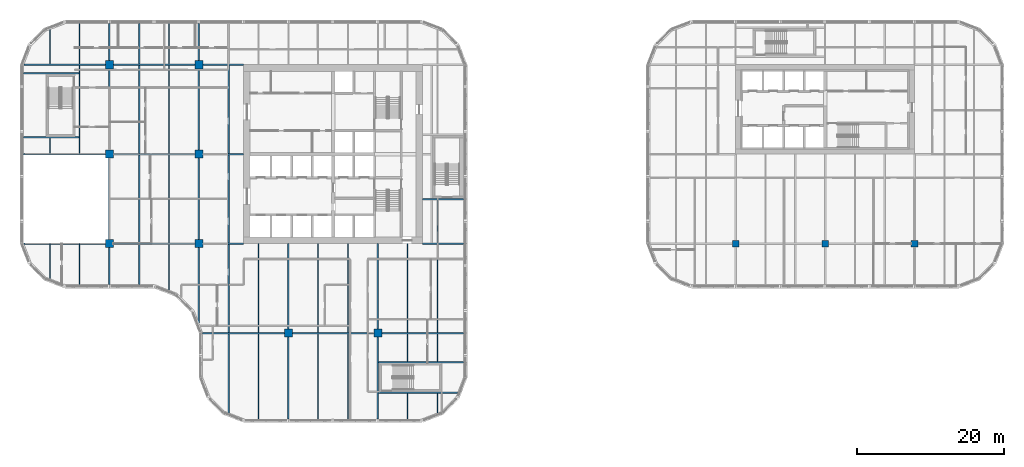
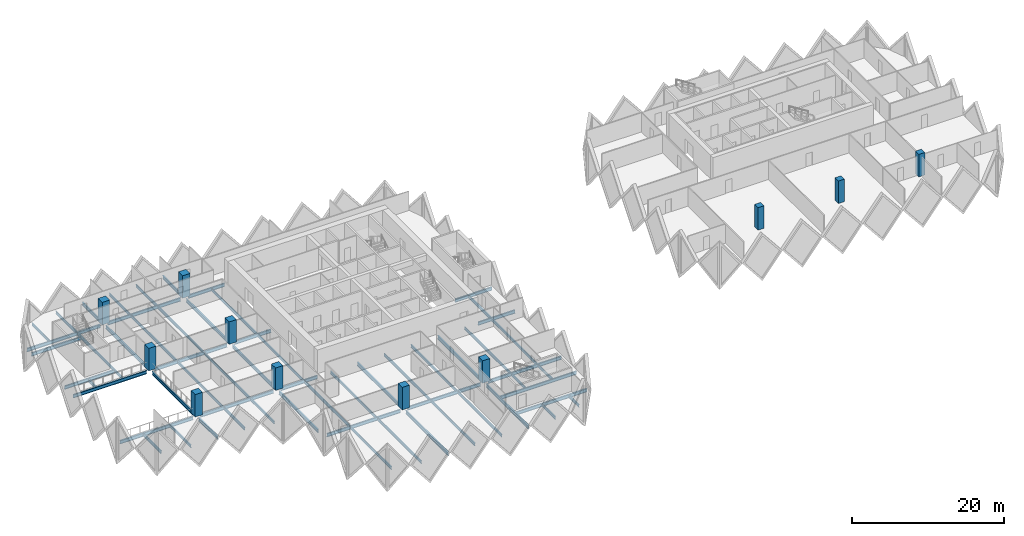
# One storey, part 1 of 18: 61 beams, 11 columns.
"""IFC4 building model written with IfcOpenShell, lengths in metres."""

from ifc_helpers import new_model, si_unit, direction, frame, origin, origin_2d, place, context, subcontext, project, spatial, rectangle, i_section, extrude, material, material_profile, profile_set, type_object, element, save


model = new_model("IFC4")

# Units and contexts
model_context = context("Model", 3, precision=1e-05, world=origin(), true_north=direction((0.0, 1.0)))
body_context = subcontext(model_context, "Body", "Model", "MODEL_VIEW")
ifc_project = project(units=[si_unit("LENGTHUNIT", "METRE"), si_unit("AREAUNIT", "SQUARE_METRE"), si_unit("VOLUMEUNIT", "CUBIC_METRE"), si_unit("PLANEANGLEUNIT", "RADIAN"), si_unit("MASSUNIT", "GRAM", prefix="KILO")], contexts=[model_context])

# Site, building, storey
site_placement = place(None, origin())
site = spatial("IfcSite", under=ifc_project, at=site_placement, CompositionType="ELEMENT")
building_placement = place(site_placement, origin())
building = spatial("IfcBuilding", under=site, at=building_placement, Name="Tessera Gate Towers", CompositionType="ELEMENT")
storey_placement = place(building_placement, frame((0.0, 0.0, 44.800048828125)))
storey = spatial("IfcBuildingStorey", under=building, at=storey_placement, Name="L10", CompositionType="ELEMENT", Elevation=44.800048828125)

# Columns
ifc_material_1 = material(Name="Concrete C70/85", Category="concrete")
ifc_material_profile_1 = material_profile(ifc_material_1, rectangle(XDim=1.10009765625, YDim=1.10009765625, at=origin_2d()), Name="RC 1100x1100")
ifc_profile_set_1 = profile_set([ifc_material_profile_1], Name="Concrete C70/85")
column_type_1 = type_object("IfcColumnType", Name="COLUMN RC 1100x1100", PredefinedType="COLUMN", material=ifc_profile_set_1)
for number, where, z_axis, x_axis, name in (
    (1, (12.199951171875, 24.39990234375, 0.0), (0.0, 0.0, 1.0), (1.0, 0.0, 0.0), "T1-COL-2C-L10"),
    (2, (12.199951171875, 36.60009765625, 0.0), (0.0, 0.0, 1.0), (1.0, 0.0, 0.0), "T1-COL-2D-L10"),
    (3, (12.199951171875, 48.800048828125, 0.0), (0.0, 0.0, 1.0), (1.0, 0.0, 0.0), "T1-COL-2E-L10"),
    (4, (24.39990234375, 24.39990234375, 0.0), (0.0, 0.0, 1.0), (1.0, 0.0, 0.0), "T1-COL-3C-L10"),
    (5, (24.39990234375, 36.60009765625, 0.0), (0.0, 0.0, 1.0), (1.0, 0.0, 0.0), "T1-COL-3D-L10"),
    (6, (24.39990234375, 48.800048828125, 0.0), (0.0, 0.0, 1.0), (1.0, 0.0, 0.0), "T1-COL-3E-L10"),
    (7, (36.60009765625, 12.199951171875, 0.0), (0.0, 0.0, 1.0), (1.0, 0.0, 0.0), "T1-COL-4B-L10"),
    (8, (48.800048828125, 12.199951171875, 0.0), (0.0, 0.0, 1.0), (1.0, 0.0, 0.0), "T1-COL-5B-L10"),
):
    element("IfcColumn", number, at=place(storey_placement, frame(where, z_axis=z_axis, x_axis=x_axis)), inside=storey, type_object=column_type_1, Name=name, PredefinedType="COLUMN", context=body_context, shape_type="SweptSolid", body=[
        extrude(rectangle(XDim=1.10009765625, YDim=1.10009765625, at=origin_2d()), origin(), (0.0, 0.0, 1.0), 3.599853515625),
    ])
ifc_material_2 = material(Name="Concrete C70/85", Category="concrete")
ifc_material_profile_2 = material_profile(ifc_material_2, rectangle(XDim=0.89990234375, YDim=0.89990234375, at=origin_2d()), Name="RC 900x900")
ifc_profile_set_2 = profile_set([ifc_material_profile_2], Name="Concrete C70/85")
column_type_2 = type_object("IfcColumnType", Name="COLUMN RC 900x900", PredefinedType="COLUMN", material=ifc_profile_set_2)
for number, where, z_axis, x_axis, name in (
    (9, (97.60009765625, 24.39990234375, 0.0), (0.0, 0.0, 1.0), (1.0, 0.0, 0.0), "T2-COL-9C-L10"),
    (10, (109.800048828125, 24.39990234375, 0.0), (0.0, 0.0, 1.0), (1.0, 0.0, 0.0), "T2-COL-10C-L10"),
    (11, (122.0, 24.39990234375, 0.0), (0.0, 0.0, 1.0), (1.0, 0.0, 0.0), "T2-COL-11C-L10"),
):
    element("IfcColumn", number, at=place(storey_placement, frame(where, z_axis=z_axis, x_axis=x_axis)), inside=storey, type_object=column_type_2, Name=name, PredefinedType="COLUMN", context=body_context, shape_type="SweptSolid", body=[
        extrude(rectangle(XDim=0.89990234375, YDim=0.89990234375, at=origin_2d()), origin(), (0.0, 0.0, 1.0), 3.599853515625),
    ])

# Beams
ifc_material_3 = material(Name="Steel 350W", Category="steel")
ifc_material_profile_3 = material_profile(ifc_material_3, i_section(OverallWidth=0.208984375, OverallDepth=0.532958984375, WebThickness=0.01025390625, FlangeThickness=0.015625, at=origin_2d()), Name="W530x92")
ifc_profile_set_3 = profile_set([ifc_material_profile_3], Name="Steel 350W")
beam_type_1 = type_object("IfcBeamType", Name="FLOOR GIRDER W530x92", PredefinedType="BEAM", material=ifc_profile_set_3)
beam_1_placement = place(storey_placement, frame((24.89892578125, 12.199951171875, -0.466552734375), z_axis=(1.0, 0.0, 0.0), x_axis=(0.0, 1.0, 0.0)))
element("IfcBeam", 12, at=beam_1_placement, inside=storey, type_object=beam_type_1, Name="T1-GD-L10-1514", PredefinedType="BEAM", context=body_context, shape_type="SweptSolid", body=[
    extrude(i_section(OverallWidth=0.208984375, OverallDepth=0.532958984375, WebThickness=0.01025390625, FlangeThickness=0.015625, at=origin_2d()), origin(), (0.0, 0.0, 1.0), 11.151123046875),
])
beam_2_placement = place(storey_placement, frame((37.14990234375, 12.199951171875, -0.466552734375), z_axis=(1.0, 0.0, 0.0), x_axis=(0.0, 1.0, 0.0)))
element("IfcBeam", 13, at=beam_2_placement, inside=storey, type_object=beam_type_1, Name="T1-GD-L10-1515", PredefinedType="BEAM", context=body_context, shape_type="SweptSolid", body=[
    extrude(i_section(OverallWidth=0.208984375, OverallDepth=0.532958984375, WebThickness=0.01025390625, FlangeThickness=0.015625, at=origin_2d()), origin(), (0.0, 0.0, 1.0), 11.10009765625),
])
beam_3_placement = place(storey_placement, frame((49.35009765625, 12.199951171875, -0.466552734375), z_axis=(1.0, 0.0, 0.0), x_axis=(0.0, 1.0, 0.0)))
element("IfcBeam", 14, at=beam_3_placement, inside=storey, type_object=beam_type_1, Name="T1-GD-L10-1516", PredefinedType="BEAM", context=body_context, shape_type="SweptSolid", body=[
    extrude(i_section(OverallWidth=0.208984375, OverallDepth=0.532958984375, WebThickness=0.01025390625, FlangeThickness=0.015625, at=origin_2d()), origin(), (0.0, 0.0, 1.0), 11.15087890625),
])
beam_4_placement = place(storey_placement, frame((0.534912109375, 24.39990234375, -0.466552734375), z_axis=(1.0, 0.0, 0.0), x_axis=(0.0, 1.0, 0.0)))
element("IfcBeam", 15, at=beam_4_placement, inside=storey, type_object=beam_type_1, Name="T1-GD-L10-1517", PredefinedType="BEAM", context=body_context, shape_type="SweptSolid", body=[
    extrude(i_section(OverallWidth=0.208984375, OverallDepth=0.532958984375, WebThickness=0.01025390625, FlangeThickness=0.015625, at=origin_2d()), origin(), (0.0, 0.0, 1.0), 11.114990234375),
])
beam_5_placement = place(storey_placement, frame((12.75, 24.39990234375, -0.466552734375), z_axis=(1.0, 0.0, 0.0), x_axis=(0.0, 1.0, 0.0)))
element("IfcBeam", 16, at=beam_5_placement, inside=storey, type_object=beam_type_1, Name="T1-GD-L10-1518", PredefinedType="BEAM", context=body_context, shape_type="SweptSolid", body=[
    extrude(i_section(OverallWidth=0.208984375, OverallDepth=0.532958984375, WebThickness=0.01025390625, FlangeThickness=0.015625, at=origin_2d()), origin(), (0.0, 0.0, 1.0), 11.10009765625),
])
beam_6_placement = place(storey_placement, frame((24.949951171875, 24.39990234375, -0.466552734375), z_axis=(1.0, 0.0, 0.0), x_axis=(0.0, 1.0, 0.0)))
element("IfcBeam", 17, at=beam_6_placement, inside=storey, type_object=beam_type_1, Name="T1-GD-L10-1519", PredefinedType="BEAM", context=body_context, shape_type="SweptSolid", body=[
    extrude(i_section(OverallWidth=0.208984375, OverallDepth=0.532958984375, WebThickness=0.01025390625, FlangeThickness=0.015625, at=origin_2d()), origin(), (0.0, 0.0, 1.0), 5.549072265625),
])
beam_7_placement = place(storey_placement, frame((54.90087890625, 24.39990234375, -0.466552734375), z_axis=(1.0, 0.0, 0.0), x_axis=(0.0, 1.0, 0.0)))
element("IfcBeam", 18, at=beam_7_placement, inside=storey, type_object=beam_type_1, Name="T1-GD-L10-1520", PredefinedType="BEAM", context=body_context, shape_type="SweptSolid", body=[
    extrude(i_section(OverallWidth=0.208984375, OverallDepth=0.532958984375, WebThickness=0.01025390625, FlangeThickness=0.015625, at=origin_2d()), origin(), (0.0, 0.0, 1.0), 5.60009765625),
])
beam_8_placement = place(storey_placement, frame((0.4990234375, 36.60009765625, -0.466552734375), z_axis=(1.0, 0.0, 0.0), x_axis=(0.0, 1.0, 0.0)))
element("IfcBeam", 19, at=beam_8_placement, inside=storey, type_object=beam_type_1, Name="T1-GD-L10-1521", PredefinedType="BEAM", context=body_context, shape_type="SweptSolid", body=[
    extrude(i_section(OverallWidth=0.208984375, OverallDepth=0.532958984375, WebThickness=0.01025390625, FlangeThickness=0.015625, at=origin_2d()), origin(), (0.0, 0.0, 1.0), 11.15087890625),
])
beam_9_placement = place(storey_placement, frame((12.75, 36.60009765625, -0.466552734375), z_axis=(1.0, 0.0, 0.0), x_axis=(0.0, 1.0, 0.0)))
element("IfcBeam", 20, at=beam_9_placement, inside=storey, type_object=beam_type_1, Name="T1-GD-L10-1522", PredefinedType="BEAM", context=body_context, shape_type="SweptSolid", body=[
    extrude(i_section(OverallWidth=0.208984375, OverallDepth=0.532958984375, WebThickness=0.01025390625, FlangeThickness=0.015625, at=origin_2d()), origin(), (0.0, 0.0, 1.0), 11.10009765625),
])
beam_10_placement = place(storey_placement, frame((24.949951171875, 36.60009765625, -0.466552734375), z_axis=(1.0, 0.0, 0.0), x_axis=(0.0, 1.0, 0.0)))
element("IfcBeam", 21, at=beam_10_placement, inside=storey, type_object=beam_type_1, Name="T1-GD-L10-1523", PredefinedType="BEAM", context=body_context, shape_type="SweptSolid", body=[
    extrude(i_section(OverallWidth=0.208984375, OverallDepth=0.532958984375, WebThickness=0.01025390625, FlangeThickness=0.015625, at=origin_2d()), origin(), (0.0, 0.0, 1.0), 5.551025390625),
])
beam_11_placement = place(storey_placement, frame((0.534912109375, 48.800048828125, -0.466552734375), z_axis=(1.0, 0.0, 0.0), x_axis=(0.0, 1.0, 0.0)))
element("IfcBeam", 22, at=beam_11_placement, inside=storey, type_object=beam_type_1, Name="T1-GD-L10-1525", PredefinedType="BEAM", context=body_context, shape_type="SweptSolid", body=[
    extrude(i_section(OverallWidth=0.208984375, OverallDepth=0.532958984375, WebThickness=0.01025390625, FlangeThickness=0.015625, at=origin_2d()), origin(), (0.0, 0.0, 1.0), 11.114990234375),
])
beam_12_placement = place(storey_placement, frame((12.75, 48.800048828125, -0.466552734375), z_axis=(1.0, 0.0, 0.0), x_axis=(0.0, 1.0, 0.0)))
element("IfcBeam", 23, at=beam_12_placement, inside=storey, type_object=beam_type_1, Name="T1-GD-L10-1526", PredefinedType="BEAM", context=body_context, shape_type="SweptSolid", body=[
    extrude(i_section(OverallWidth=0.208984375, OverallDepth=0.532958984375, WebThickness=0.01025390625, FlangeThickness=0.015625, at=origin_2d()), origin(), (0.0, 0.0, 1.0), 11.10009765625),
])
beam_13_placement = place(storey_placement, frame((24.949951171875, 48.800048828125, -0.466552734375), z_axis=(1.0, 0.0, 0.0), x_axis=(0.0, 1.0, 0.0)))
element("IfcBeam", 24, at=beam_13_placement, inside=storey, type_object=beam_type_1, Name="T1-GD-L10-1527", PredefinedType="BEAM", context=body_context, shape_type="SweptSolid", body=[
    extrude(i_section(OverallWidth=0.208984375, OverallDepth=0.532958984375, WebThickness=0.01025390625, FlangeThickness=0.015625, at=origin_2d()), origin(), (0.0, 0.0, 1.0), 5.549072265625),
])
beam_14_placement = place(storey_placement, frame((12.199951171875, 18.799072265625, -0.466552734375), z_axis=(0.0, 1.0, 0.0), x_axis=(-1.0, 0.0, 0.0)))
element("IfcBeam", 25, at=beam_14_placement, inside=storey, type_object=beam_type_1, Name="T1-GD-L10-1529", PredefinedType="BEAM", context=body_context, shape_type="SweptSolid", body=[
    extrude(i_section(OverallWidth=0.208984375, OverallDepth=0.532958984375, WebThickness=0.01025390625, FlangeThickness=0.015625, at=origin_2d()), origin(), (0.0, 0.0, 1.0), 5.051025390625),
])
for number, where, z_axis, x_axis, name in (
    (26, (12.199951171875, 24.949951171875, -0.466552734375), (0.0, 1.0, 0.0), (-1.0, 0.0, 0.0), "T1-GD-L10-1530"),
    (27, (12.199951171875, 37.14990234375, -0.466552734375), (0.0, 1.0, 0.0), (-1.0, 0.0, 0.0), "T1-GD-L10-1531"),
):
    element("IfcBeam", number, at=place(storey_placement, frame(where, z_axis=z_axis, x_axis=x_axis)), inside=storey, type_object=beam_type_1, Name=name, PredefinedType="BEAM", context=body_context, shape_type="SweptSolid", body=[
        extrude(i_section(OverallWidth=0.208984375, OverallDepth=0.532958984375, WebThickness=0.01025390625, FlangeThickness=0.015625, at=origin_2d()), origin(), (0.0, 0.0, 1.0), 11.10009765625),
    ])
beam_15_placement = place(storey_placement, frame((12.199951171875, 49.35009765625, -0.466552734375), z_axis=(0.0, 1.0, 0.0), x_axis=(-1.0, 0.0, 0.0)))
element("IfcBeam", 28, at=beam_15_placement, inside=storey, type_object=beam_type_1, Name="T1-GD-L10-1532", PredefinedType="BEAM", context=body_context, shape_type="SweptSolid", body=[
    extrude(i_section(OverallWidth=0.208984375, OverallDepth=0.532958984375, WebThickness=0.01025390625, FlangeThickness=0.015625, at=origin_2d()), origin(), (0.0, 0.0, 1.0), 5.05078125),
])
beam_16_placement = place(storey_placement, frame((24.39990234375, 13.58642578125, -0.466552734375), z_axis=(0.0, 1.0, 0.0), x_axis=(-1.0, 0.0, 0.0)))
element("IfcBeam", 29, at=beam_16_placement, inside=storey, type_object=beam_type_1, Name="T1-GD-L10-1533", PredefinedType="BEAM", context=body_context, shape_type="SweptSolid", body=[
    extrude(i_section(OverallWidth=0.208984375, OverallDepth=0.532958984375, WebThickness=0.01025390625, FlangeThickness=0.015625, at=origin_2d()), origin(), (0.0, 0.0, 1.0), 10.263671875),
])
for number, where, z_axis, x_axis, name in (
    (30, (24.39990234375, 24.949951171875, -0.466552734375), (0.0, 1.0, 0.0), (-1.0, 0.0, 0.0), "T1-GD-L10-1534"),
    (31, (24.39990234375, 37.14990234375, -0.466552734375), (0.0, 1.0, 0.0), (-1.0, 0.0, 0.0), "T1-GD-L10-1535"),
):
    element("IfcBeam", number, at=place(storey_placement, frame(where, z_axis=z_axis, x_axis=x_axis)), inside=storey, type_object=beam_type_1, Name=name, PredefinedType="BEAM", context=body_context, shape_type="SweptSolid", body=[
        extrude(i_section(OverallWidth=0.208984375, OverallDepth=0.532958984375, WebThickness=0.01025390625, FlangeThickness=0.015625, at=origin_2d()), origin(), (0.0, 0.0, 1.0), 11.10009765625),
    ])
beam_17_placement = place(storey_placement, frame((24.39990234375, 49.35009765625, -0.466552734375), z_axis=(0.0, 1.0, 0.0), x_axis=(-1.0, 0.0, 0.0)))
element("IfcBeam", 32, at=beam_17_placement, inside=storey, type_object=beam_type_1, Name="T1-GD-L10-1536", PredefinedType="BEAM", context=body_context, shape_type="SweptSolid", body=[
    extrude(i_section(OverallWidth=0.208984375, OverallDepth=0.532958984375, WebThickness=0.01025390625, FlangeThickness=0.015625, at=origin_2d()), origin(), (0.0, 0.0, 1.0), 5.05078125),
])
beam_18_placement = place(storey_placement, frame((36.60009765625, 0.4990234375, -0.466552734375), z_axis=(0.0, 1.0, 0.0), x_axis=(-1.0, 0.0, 0.0)))
element("IfcBeam", 33, at=beam_18_placement, inside=storey, type_object=beam_type_1, Name="T1-GD-L10-1537", PredefinedType="BEAM", context=body_context, shape_type="SweptSolid", body=[
    extrude(i_section(OverallWidth=0.208984375, OverallDepth=0.532958984375, WebThickness=0.01025390625, FlangeThickness=0.015625, at=origin_2d()), origin(), (0.0, 0.0, 1.0), 11.15087890625),
])
beam_19_placement = place(storey_placement, frame((36.60009765625, 12.75, -0.466552734375), z_axis=(0.0, 1.0, 0.0), x_axis=(-1.0, 0.0, 0.0)))
element("IfcBeam", 34, at=beam_19_placement, inside=storey, type_object=beam_type_1, Name="T1-GD-L10-1538", PredefinedType="BEAM", context=body_context, shape_type="SweptSolid", body=[
    extrude(i_section(OverallWidth=0.208984375, OverallDepth=0.532958984375, WebThickness=0.01025390625, FlangeThickness=0.015625, at=origin_2d()), origin(), (0.0, 0.0, 1.0), 11.64990234375),
])
beam_20_placement = place(storey_placement, frame((48.800048828125, 0.4990234375, -0.466552734375), z_axis=(0.0, 1.0, 0.0), x_axis=(-1.0, 0.0, 0.0)))
element("IfcBeam", 35, at=beam_20_placement, inside=storey, type_object=beam_type_1, Name="T1-GD-L10-1539", PredefinedType="BEAM", context=body_context, shape_type="SweptSolid", body=[
    extrude(i_section(OverallWidth=0.208984375, OverallDepth=0.532958984375, WebThickness=0.01025390625, FlangeThickness=0.015625, at=origin_2d()), origin(), (0.0, 0.0, 1.0), 11.15087890625),
])
beam_21_placement = place(storey_placement, frame((48.800048828125, 12.75, -0.466552734375), z_axis=(0.0, 1.0, 0.0), x_axis=(-1.0, 0.0, 0.0)))
element("IfcBeam", 36, at=beam_21_placement, inside=storey, type_object=beam_type_1, Name="T1-GD-L10-1540", PredefinedType="BEAM", context=body_context, shape_type="SweptSolid", body=[
    extrude(i_section(OverallWidth=0.208984375, OverallDepth=0.532958984375, WebThickness=0.01025390625, FlangeThickness=0.015625, at=origin_2d()), origin(), (0.0, 0.0, 1.0), 11.64990234375),
])
for number, where, z_axis, x_axis, name in (
    (37, (0.4990234375, 38.8798828125, -0.466552734375), (1.0, 0.0, 0.0), (0.0, 1.0, 0.0), "T1-GD-L10-1541"),
    (38, (0.4990234375, 47.6201171875, -0.466552734375), (1.0, 0.0, 0.0), (0.0, 1.0, 0.0), "T1-GD-L10-1542"),
):
    element("IfcBeam", number, at=place(storey_placement, frame(where, z_axis=z_axis, x_axis=x_axis)), inside=storey, type_object=beam_type_1, Name=name, PredefinedType="BEAM", context=body_context, shape_type="SweptSolid", body=[
        extrude(i_section(OverallWidth=0.208984375, OverallDepth=0.532958984375, WebThickness=0.01025390625, FlangeThickness=0.015625, at=origin_2d()), origin(), (0.0, 0.0, 1.0), 7.557861328125),
    ])
beam_22_placement = place(storey_placement, frame((48.87646484375, 4.080078125, -0.466552734375), z_axis=(1.0, 0.0, 0.0), x_axis=(0.0, 1.0, 0.0)))
element("IfcBeam", 39, at=beam_22_placement, inside=storey, type_object=beam_type_1, Name="T1-GD-L10-1543", PredefinedType="BEAM", context=body_context, shape_type="SweptSolid", body=[
    extrude(i_section(OverallWidth=0.208984375, OverallDepth=0.532958984375, WebThickness=0.01025390625, FlangeThickness=0.015625, at=origin_2d()), origin(), (0.0, 0.0, 1.0), 10.809326171875),
])
beam_23_placement = place(storey_placement, frame((48.87646484375, 8.219970703125, -0.466552734375), z_axis=(1.0, 0.0, 0.0), x_axis=(0.0, 1.0, 0.0)))
element("IfcBeam", 40, at=beam_23_placement, inside=storey, type_object=beam_type_1, Name="T1-GD-L10-1544", PredefinedType="BEAM", context=body_context, shape_type="SweptSolid", body=[
    extrude(i_section(OverallWidth=0.208984375, OverallDepth=0.532958984375, WebThickness=0.01025390625, FlangeThickness=0.015625, at=origin_2d()), origin(), (0.0, 0.0, 1.0), 11.62451171875),
])
beam_24_placement = place(storey_placement, frame((54.89892578125, 30.47998046875, -0.466552734375), z_axis=(1.0, 0.0, 0.0), x_axis=(0.0, 1.0, 0.0)))
element("IfcBeam", 41, at=beam_24_placement, inside=storey, type_object=beam_type_1, Name="T1-GD-L10-1545", PredefinedType="BEAM", context=body_context, shape_type="SweptSolid", body=[
    extrude(i_section(OverallWidth=0.208984375, OverallDepth=0.532958984375, WebThickness=0.01025390625, FlangeThickness=0.015625, at=origin_2d()), origin(), (0.0, 0.0, 1.0), 5.60205078125),
])
ifc_material_4 = material(Name="Steel 350W", Category="steel")
ifc_material_profile_4 = material_profile(ifc_material_4, i_section(OverallWidth=0.153076171875, OverallDepth=0.455078125, WebThickness=0.008056640625, FlangeThickness=0.01318359375, at=origin_2d()), Name="W460x60")
ifc_profile_set_4 = profile_set([ifc_material_profile_4], Name="Steel 350W")
beam_type_2 = type_object("IfcBeamType", Name="FLOOR SECONDARY W460x60", PredefinedType="BEAM", material=ifc_profile_set_4)
beam_25_placement = place(storey_placement, frame((4.066650390625, 19.620361328125, -0.427490234375), z_axis=(0.0, 1.0, 0.0), x_axis=(-1.0, 0.0, 0.0)))
element("IfcBeam", 42, at=beam_25_placement, inside=storey, type_object=beam_type_2, Name="T1-BM-L10-1548", PredefinedType="BEAM", context=body_context, shape_type="SweptSolid", body=[
    extrude(i_section(OverallWidth=0.153076171875, OverallDepth=0.455078125, WebThickness=0.008056640625, FlangeThickness=0.01318359375, at=origin_2d()), origin(), (0.0, 0.0, 1.0), 4.779541015625),
])
beam_26_placement = place(storey_placement, frame((4.066650390625, 36.70458984375, -0.427490234375), z_axis=(0.0, 1.0, 0.0), x_axis=(-1.0, 0.0, 0.0)))
element("IfcBeam", 43, at=beam_26_placement, inside=storey, type_object=beam_type_2, Name="T1-BM-L10-1549", PredefinedType="BEAM", context=body_context, shape_type="SweptSolid", body=[
    extrude(i_section(OverallWidth=0.153076171875, OverallDepth=0.455078125, WebThickness=0.008056640625, FlangeThickness=0.01318359375, at=origin_2d()), origin(), (0.0, 0.0, 1.0), 2.07080078125),
])
beam_27_placement = place(storey_placement, frame((4.066650390625, 48.904541015625, -0.427490234375), z_axis=(0.0, 1.0, 0.0), x_axis=(-1.0, 0.0, 0.0)))
element("IfcBeam", 44, at=beam_27_placement, inside=storey, type_object=beam_type_2, Name="T1-BM-L10-1550", PredefinedType="BEAM", context=body_context, shape_type="SweptSolid", body=[
    extrude(i_section(OverallWidth=0.153076171875, OverallDepth=0.455078125, WebThickness=0.008056640625, FlangeThickness=0.01318359375, at=origin_2d()), origin(), (0.0, 0.0, 1.0), 4.675048828125),
])
beam_28_placement = place(storey_placement, frame((8.13330078125, 18.800048828125, -0.427490234375), z_axis=(0.0, 1.0, 0.0), x_axis=(-1.0, 0.0, 0.0)))
element("IfcBeam", 45, at=beam_28_placement, inside=storey, type_object=beam_type_2, Name="T1-BM-L10-1551", PredefinedType="BEAM", context=body_context, shape_type="SweptSolid", body=[
    extrude(i_section(OverallWidth=0.153076171875, OverallDepth=0.455078125, WebThickness=0.008056640625, FlangeThickness=0.01318359375, at=origin_2d()), origin(), (0.0, 0.0, 1.0), 5.599853515625),
])
beam_29_placement = place(storey_placement, frame((8.13330078125, 36.70458984375, -0.427490234375), z_axis=(0.0, 1.0, 0.0), x_axis=(-1.0, 0.0, 0.0)))
element("IfcBeam", 46, at=beam_29_placement, inside=storey, type_object=beam_type_2, Name="T1-BM-L10-1552", PredefinedType="BEAM", context=body_context, shape_type="SweptSolid", body=[
    extrude(i_section(OverallWidth=0.153076171875, OverallDepth=0.455078125, WebThickness=0.008056640625, FlangeThickness=0.01318359375, at=origin_2d()), origin(), (0.0, 0.0, 1.0), 11.990966796875),
])
for number, where, z_axis, x_axis, name in (
    (47, (8.13330078125, 48.904541015625, -0.427490234375), (0.0, 1.0, 0.0), (-1.0, 0.0, 0.0), "T1-BM-L10-1553"),
    (48, (16.2666015625, 18.800048828125, -0.427490234375), (0.0, 1.0, 0.0), (-1.0, 0.0, 0.0), "T1-BM-L10-1554"),
):
    element("IfcBeam", number, at=place(storey_placement, frame(where, z_axis=z_axis, x_axis=x_axis)), inside=storey, type_object=beam_type_2, Name=name, PredefinedType="BEAM", context=body_context, shape_type="SweptSolid", body=[
        extrude(i_section(OverallWidth=0.153076171875, OverallDepth=0.455078125, WebThickness=0.008056640625, FlangeThickness=0.01318359375, at=origin_2d()), origin(), (0.0, 0.0, 1.0), 5.495361328125),
    ])
beam_30_placement = place(storey_placement, frame((16.2666015625, 24.50439453125, -0.427490234375), z_axis=(0.0, 1.0, 0.0), x_axis=(-1.0, 0.0, 0.0)))
element("IfcBeam", 49, at=beam_30_placement, inside=storey, type_object=beam_type_2, Name="T1-BM-L10-1555", PredefinedType="BEAM", context=body_context, shape_type="SweptSolid", body=[
    extrude(i_section(OverallWidth=0.153076171875, OverallDepth=0.455078125, WebThickness=0.008056640625, FlangeThickness=0.01318359375, at=origin_2d()), origin(), (0.0, 0.0, 1.0), 11.9912109375),
])
beam_31_placement = place(storey_placement, frame((16.2666015625, 36.70458984375, -0.427490234375), z_axis=(0.0, 1.0, 0.0), x_axis=(-1.0, 0.0, 0.0)))
element("IfcBeam", 50, at=beam_31_placement, inside=storey, type_object=beam_type_2, Name="T1-BM-L10-1556", PredefinedType="BEAM", context=body_context, shape_type="SweptSolid", body=[
    extrude(i_section(OverallWidth=0.153076171875, OverallDepth=0.455078125, WebThickness=0.008056640625, FlangeThickness=0.01318359375, at=origin_2d()), origin(), (0.0, 0.0, 1.0), 11.990966796875),
])
beam_32_placement = place(storey_placement, frame((16.2666015625, 48.904541015625, -0.427490234375), z_axis=(0.0, 1.0, 0.0), x_axis=(-1.0, 0.0, 0.0)))
element("IfcBeam", 51, at=beam_32_placement, inside=storey, type_object=beam_type_2, Name="T1-BM-L10-1557", PredefinedType="BEAM", context=body_context, shape_type="SweptSolid", body=[
    extrude(i_section(OverallWidth=0.153076171875, OverallDepth=0.455078125, WebThickness=0.008056640625, FlangeThickness=0.01318359375, at=origin_2d()), origin(), (0.0, 0.0, 1.0), 5.495361328125),
])
beam_33_placement = place(storey_placement, frame((20.333251953125, 18.051513671875, -0.427490234375), z_axis=(0.0, 1.0, 0.0), x_axis=(-1.0, 0.0, 0.0)))
element("IfcBeam", 52, at=beam_33_placement, inside=storey, type_object=beam_type_2, Name="T1-BM-L10-1558", PredefinedType="BEAM", context=body_context, shape_type="SweptSolid", body=[
    extrude(i_section(OverallWidth=0.153076171875, OverallDepth=0.455078125, WebThickness=0.008056640625, FlangeThickness=0.01318359375, at=origin_2d()), origin(), (0.0, 0.0, 1.0), 6.243896484375),
])
beam_34_placement = place(storey_placement, frame((20.333251953125, 24.50439453125, -0.427490234375), z_axis=(0.0, 1.0, 0.0), x_axis=(-1.0, 0.0, 0.0)))
element("IfcBeam", 53, at=beam_34_placement, inside=storey, type_object=beam_type_2, Name="T1-BM-L10-1559", PredefinedType="BEAM", context=body_context, shape_type="SweptSolid", body=[
    extrude(i_section(OverallWidth=0.153076171875, OverallDepth=0.455078125, WebThickness=0.008056640625, FlangeThickness=0.01318359375, at=origin_2d()), origin(), (0.0, 0.0, 1.0), 11.9912109375),
])
beam_35_placement = place(storey_placement, frame((20.333251953125, 36.70458984375, -0.427490234375), z_axis=(0.0, 1.0, 0.0), x_axis=(-1.0, 0.0, 0.0)))
element("IfcBeam", 54, at=beam_35_placement, inside=storey, type_object=beam_type_2, Name="T1-BM-L10-1560", PredefinedType="BEAM", context=body_context, shape_type="SweptSolid", body=[
    extrude(i_section(OverallWidth=0.153076171875, OverallDepth=0.455078125, WebThickness=0.008056640625, FlangeThickness=0.01318359375, at=origin_2d()), origin(), (0.0, 0.0, 1.0), 11.990966796875),
])
beam_36_placement = place(storey_placement, frame((20.333251953125, 48.904541015625, -0.427490234375), z_axis=(0.0, 1.0, 0.0), x_axis=(-1.0, 0.0, 0.0)))
element("IfcBeam", 55, at=beam_36_placement, inside=storey, type_object=beam_type_2, Name="T1-BM-L10-1561", PredefinedType="BEAM", context=body_context, shape_type="SweptSolid", body=[
    extrude(i_section(OverallWidth=0.153076171875, OverallDepth=0.455078125, WebThickness=0.008056640625, FlangeThickness=0.01318359375, at=origin_2d()), origin(), (0.0, 0.0, 1.0), 5.495361328125),
])
beam_37_placement = place(storey_placement, frame((28.466796875, 1.3203125, -0.427490234375), z_axis=(0.0, 1.0, 0.0), x_axis=(-1.0, 0.0, 0.0)))
element("IfcBeam", 56, at=beam_37_placement, inside=storey, type_object=beam_type_2, Name="T1-BM-L10-1562", PredefinedType="BEAM", context=body_context, shape_type="SweptSolid", body=[
    extrude(i_section(OverallWidth=0.153076171875, OverallDepth=0.455078125, WebThickness=0.008056640625, FlangeThickness=0.01318359375, at=origin_2d()), origin(), (0.0, 0.0, 1.0), 10.775146484375),
])
beam_38_placement = place(storey_placement, frame((28.466796875, 12.304443359375, -0.427490234375), z_axis=(0.0, 1.0, 0.0), x_axis=(-1.0, 0.0, 0.0)))
element("IfcBeam", 57, at=beam_38_placement, inside=storey, type_object=beam_type_2, Name="T1-BM-L10-1563", PredefinedType="BEAM", context=body_context, shape_type="SweptSolid", body=[
    extrude(i_section(OverallWidth=0.153076171875, OverallDepth=0.455078125, WebThickness=0.008056640625, FlangeThickness=0.01318359375, at=origin_2d()), origin(), (0.0, 0.0, 1.0), 11.990966796875),
])
beam_39_placement = place(storey_placement, frame((28.466796875, 24.50439453125, -0.427490234375), z_axis=(0.0, 1.0, 0.0), x_axis=(-1.0, 0.0, 0.0)))
element("IfcBeam", 58, at=beam_39_placement, inside=storey, type_object=beam_type_2, Name="T1-BM-L10-1564", PredefinedType="BEAM", context=body_context, shape_type="SweptSolid", body=[
    extrude(i_section(OverallWidth=0.153076171875, OverallDepth=0.455078125, WebThickness=0.008056640625, FlangeThickness=0.01318359375, at=origin_2d()), origin(), (0.0, 0.0, 1.0), 11.9912109375),
])
beam_40_placement = place(storey_placement, frame((28.466796875, 36.70458984375, -0.427490234375), z_axis=(0.0, 1.0, 0.0), x_axis=(-1.0, 0.0, 0.0)))
element("IfcBeam", 59, at=beam_40_placement, inside=storey, type_object=beam_type_2, Name="T1-BM-L10-1565", PredefinedType="BEAM", context=body_context, shape_type="SweptSolid", body=[
    extrude(i_section(OverallWidth=0.153076171875, OverallDepth=0.455078125, WebThickness=0.008056640625, FlangeThickness=0.01318359375, at=origin_2d()), origin(), (0.0, 0.0, 1.0), 11.990966796875),
])
beam_41_placement = place(storey_placement, frame((32.533203125, 0.5, -0.427490234375), z_axis=(0.0, 1.0, 0.0), x_axis=(-1.0, 0.0, 0.0)))
element("IfcBeam", 60, at=beam_41_placement, inside=storey, type_object=beam_type_2, Name="T1-BM-L10-1567", PredefinedType="BEAM", context=body_context, shape_type="SweptSolid", body=[
    extrude(i_section(OverallWidth=0.153076171875, OverallDepth=0.455078125, WebThickness=0.008056640625, FlangeThickness=0.01318359375, at=origin_2d()), origin(), (0.0, 0.0, 1.0), 11.595458984375),
])
beam_42_placement = place(storey_placement, frame((32.533203125, 12.304443359375, -0.427490234375), z_axis=(0.0, 1.0, 0.0), x_axis=(-1.0, 0.0, 0.0)))
element("IfcBeam", 61, at=beam_42_placement, inside=storey, type_object=beam_type_2, Name="T1-BM-L10-1568", PredefinedType="BEAM", context=body_context, shape_type="SweptSolid", body=[
    extrude(i_section(OverallWidth=0.153076171875, OverallDepth=0.455078125, WebThickness=0.008056640625, FlangeThickness=0.01318359375, at=origin_2d()), origin(), (0.0, 0.0, 1.0), 12.095458984375),
])
beam_43_placement = place(storey_placement, frame((40.666748046875, 0.5, -0.427490234375), z_axis=(0.0, 1.0, 0.0), x_axis=(-1.0, 0.0, 0.0)))
element("IfcBeam", 62, at=beam_43_placement, inside=storey, type_object=beam_type_2, Name="T1-BM-L10-1571", PredefinedType="BEAM", context=body_context, shape_type="SweptSolid", body=[
    extrude(i_section(OverallWidth=0.153076171875, OverallDepth=0.455078125, WebThickness=0.008056640625, FlangeThickness=0.01318359375, at=origin_2d()), origin(), (0.0, 0.0, 1.0), 11.595458984375),
])
beam_44_placement = place(storey_placement, frame((40.666748046875, 12.304443359375, -0.427490234375), z_axis=(0.0, 1.0, 0.0), x_axis=(-1.0, 0.0, 0.0)))
element("IfcBeam", 63, at=beam_44_placement, inside=storey, type_object=beam_type_2, Name="T1-BM-L10-1572", PredefinedType="BEAM", context=body_context, shape_type="SweptSolid", body=[
    extrude(i_section(OverallWidth=0.153076171875, OverallDepth=0.455078125, WebThickness=0.008056640625, FlangeThickness=0.01318359375, at=origin_2d()), origin(), (0.0, 0.0, 1.0), 12.095458984375),
])
beam_45_placement = place(storey_placement, frame((44.7333984375, 0.5, -0.427490234375), z_axis=(0.0, 1.0, 0.0), x_axis=(-1.0, 0.0, 0.0)))
element("IfcBeam", 64, at=beam_45_placement, inside=storey, type_object=beam_type_2, Name="T1-BM-L10-1574", PredefinedType="BEAM", context=body_context, shape_type="SweptSolid", body=[
    extrude(i_section(OverallWidth=0.153076171875, OverallDepth=0.455078125, WebThickness=0.008056640625, FlangeThickness=0.01318359375, at=origin_2d()), origin(), (0.0, 0.0, 1.0), 11.595458984375),
])
beam_46_placement = place(storey_placement, frame((44.7333984375, 12.304443359375, -0.427490234375), z_axis=(0.0, 1.0, 0.0), x_axis=(-1.0, 0.0, 0.0)))
element("IfcBeam", 65, at=beam_46_placement, inside=storey, type_object=beam_type_2, Name="T1-BM-L10-1575", PredefinedType="BEAM", context=body_context, shape_type="SweptSolid", body=[
    extrude(i_section(OverallWidth=0.153076171875, OverallDepth=0.455078125, WebThickness=0.008056640625, FlangeThickness=0.01318359375, at=origin_2d()), origin(), (0.0, 0.0, 1.0), 12.095458984375),
])
beam_47_placement = place(storey_placement, frame((52.86669921875, 0.5, -0.427490234375), z_axis=(0.0, 1.0, 0.0), x_axis=(-1.0, 0.0, 0.0)))
element("IfcBeam", 66, at=beam_47_placement, inside=storey, type_object=beam_type_2, Name="T1-BM-L10-1578", PredefinedType="BEAM", context=body_context, shape_type="SweptSolid", body=[
    extrude(i_section(OverallWidth=0.153076171875, OverallDepth=0.455078125, WebThickness=0.008056640625, FlangeThickness=0.01318359375, at=origin_2d()), origin(), (0.0, 0.0, 1.0), 3.4755859375),
])
beam_48_placement = place(storey_placement, frame((52.86669921875, 8.324462890625, -0.427490234375), z_axis=(0.0, 1.0, 0.0), x_axis=(-1.0, 0.0, 0.0)))
element("IfcBeam", 67, at=beam_48_placement, inside=storey, type_object=beam_type_2, Name="T1-BM-L10-1579", PredefinedType="BEAM", context=body_context, shape_type="SweptSolid", body=[
    extrude(i_section(OverallWidth=0.153076171875, OverallDepth=0.455078125, WebThickness=0.008056640625, FlangeThickness=0.01318359375, at=origin_2d()), origin(), (0.0, 0.0, 1.0), 3.77099609375),
])
beam_49_placement = place(storey_placement, frame((52.86669921875, 12.304443359375, -0.427490234375), z_axis=(0.0, 1.0, 0.0), x_axis=(-1.0, 0.0, 0.0)))
element("IfcBeam", 68, at=beam_49_placement, inside=storey, type_object=beam_type_2, Name="T1-BM-L10-1580", PredefinedType="BEAM", context=body_context, shape_type="SweptSolid", body=[
    extrude(i_section(OverallWidth=0.153076171875, OverallDepth=0.455078125, WebThickness=0.008056640625, FlangeThickness=0.01318359375, at=origin_2d()), origin(), (0.0, 0.0, 1.0), 12.095458984375),
])
beam_50_placement = place(storey_placement, frame((56.933349609375, 1.3203125, -0.427490234375), z_axis=(0.0, 1.0, 0.0), x_axis=(-1.0, 0.0, 0.0)))
element("IfcBeam", 69, at=beam_50_placement, inside=storey, type_object=beam_type_2, Name="T1-BM-L10-1582", PredefinedType="BEAM", context=body_context, shape_type="SweptSolid", body=[
    extrude(i_section(OverallWidth=0.153076171875, OverallDepth=0.455078125, WebThickness=0.008056640625, FlangeThickness=0.01318359375, at=origin_2d()), origin(), (0.0, 0.0, 1.0), 2.6552734375),
])
beam_51_placement = place(storey_placement, frame((56.933349609375, 8.324462890625, -0.427490234375), z_axis=(0.0, 1.0, 0.0), x_axis=(-1.0, 0.0, 0.0)))
element("IfcBeam", 70, at=beam_51_placement, inside=storey, type_object=beam_type_2, Name="T1-BM-L10-1583", PredefinedType="BEAM", context=body_context, shape_type="SweptSolid", body=[
    extrude(i_section(OverallWidth=0.153076171875, OverallDepth=0.455078125, WebThickness=0.008056640625, FlangeThickness=0.01318359375, at=origin_2d()), origin(), (0.0, 0.0, 1.0), 3.77099609375),
])
beam_52_placement = place(storey_placement, frame((56.933349609375, 12.304443359375, -0.427490234375), z_axis=(0.0, 1.0, 0.0), x_axis=(-1.0, 0.0, 0.0)))
element("IfcBeam", 71, at=beam_52_placement, inside=storey, type_object=beam_type_2, Name="T1-BM-L10-1584", PredefinedType="BEAM", context=body_context, shape_type="SweptSolid", body=[
    extrude(i_section(OverallWidth=0.153076171875, OverallDepth=0.455078125, WebThickness=0.008056640625, FlangeThickness=0.01318359375, at=origin_2d()), origin(), (0.0, 0.0, 1.0), 11.990966796875),
])
beam_53_placement = place(storey_placement, frame((56.933349609375, 24.50439453125, -0.427490234375), z_axis=(0.0, 1.0, 0.0), x_axis=(-1.0, 0.0, 0.0)))
element("IfcBeam", 72, at=beam_53_placement, inside=storey, type_object=beam_type_2, Name="T1-BM-L10-1585", PredefinedType="BEAM", context=body_context, shape_type="SweptSolid", body=[
    extrude(i_section(OverallWidth=0.153076171875, OverallDepth=0.455078125, WebThickness=0.008056640625, FlangeThickness=0.01318359375, at=origin_2d()), origin(), (0.0, 0.0, 1.0), 5.87109375),
])

save(model, "model.ifc")
